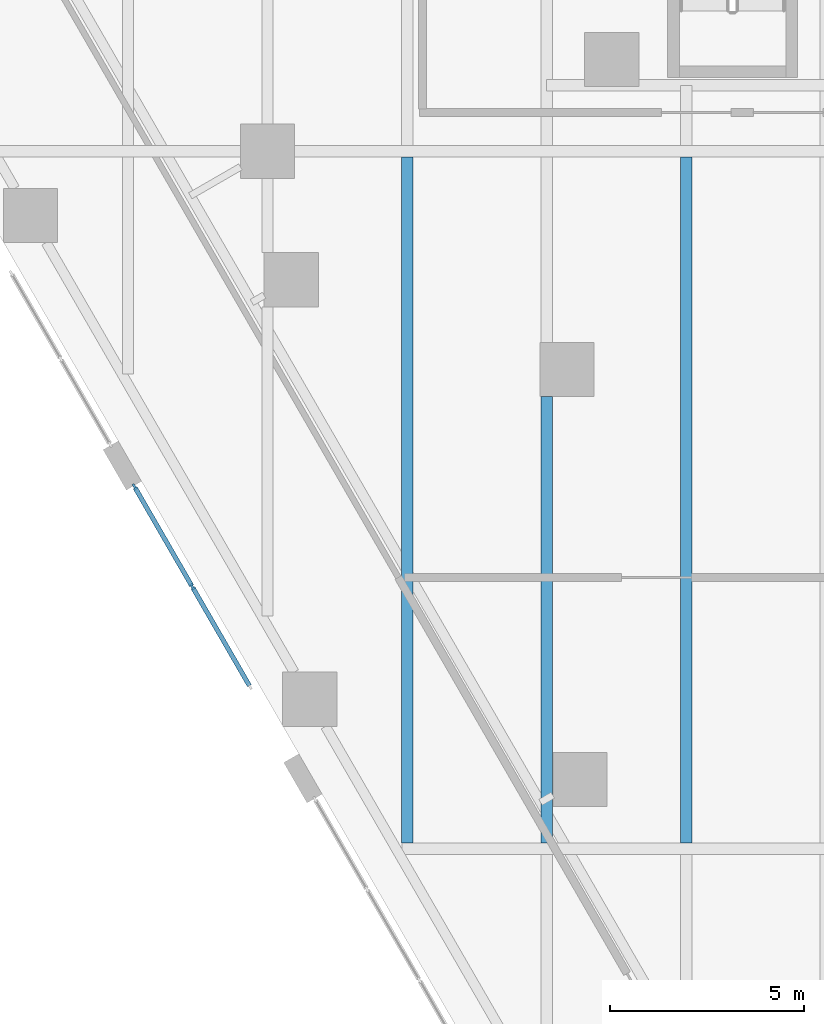
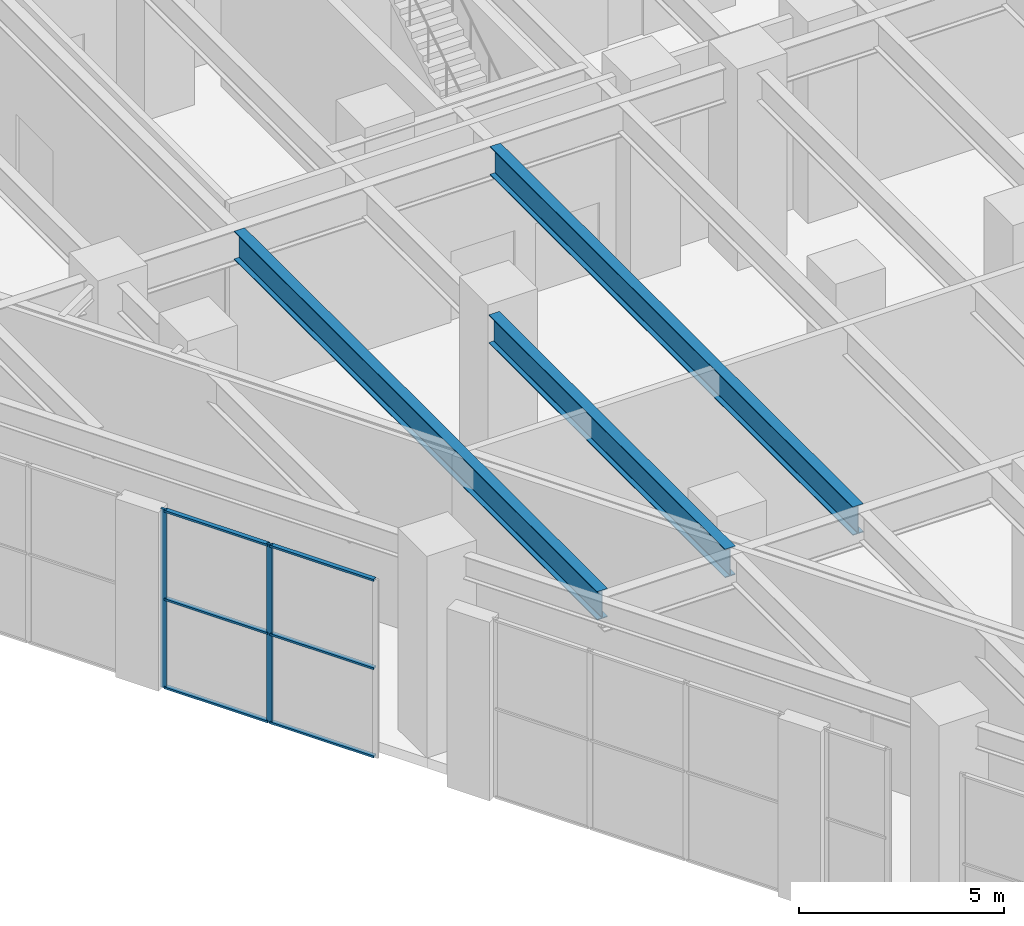
# One storey, part 4 of 37: 8 members, 3 beams, 1 element without a shape of its own.
"""IFC4 building model written with IfcOpenShell, lengths in metres."""

from ifc_helpers import new_model, si_unit, direction, frame, origin, origin_2d, place, context, subcontext, project, spatial, rectangle, i_section, extrude, material, material_profile, profile_set, type_object, element, aggregate, save


model = new_model("IFC4")

# Units and contexts
model_context = context("Model", 3, precision=1e-05, world=origin(), true_north=direction((0.0, 1.0)))
body_context = subcontext(model_context, "Body", "Model", "MODEL_VIEW")
ifc_project = project(units=[si_unit("LENGTHUNIT", "METRE"), si_unit("AREAUNIT", "SQUARE_METRE"), si_unit("VOLUMEUNIT", "CUBIC_METRE"), si_unit("PLANEANGLEUNIT", "RADIAN"), si_unit("MASSUNIT", "GRAM", prefix="KILO")], contexts=[model_context])

# Site, building, storey
site_placement = place(None, origin())
site = spatial("IfcSite", under=ifc_project, at=site_placement, CompositionType="ELEMENT")
building_placement = place(site_placement, origin())
building = spatial("IfcBuilding", under=site, at=building_placement, Name="Aloe Facet Convention Tower", CompositionType="ELEMENT")
storey_placement = place(building_placement, frame((0.0, 0.0, 7.5)))
storey = spatial("IfcBuildingStorey", under=building, at=storey_placement, Name="L01", CompositionType="ELEMENT", Elevation=7.5)

# Curtain wall, members
ifc_material_1 = material(Name="Aluminium, anodised", Category="aluminium")
curtain_wall_type = type_object("IfcCurtainWallType", Name="EV-CW-SHOP", PredefinedType="USERDEFINED", material=ifc_material_1)
curtain_wall_placement = place(storey_placement, origin())
curtain_wall = element("IfcCurtainWall", 1, at=curtain_wall_placement, inside=storey, type_object=curtain_wall_type, Name="CW-L01-W16", ObjectType="STICK SHOPFRONT GLAZING", PredefinedType="USERDEFINED")
ifc_material_2 = material(Name="Aluminium, anodised", Category="aluminium")
ifc_material_profile_1 = material_profile(ifc_material_2, rectangle(XDim=0.06005859375, YDim=0.159912109375, at=origin_2d()), Name="AL 60x160")
ifc_profile_set_1 = profile_set([ifc_material_profile_1], Name="Aluminium, anodised")
member_type_1 = type_object("IfcMemberType", Name="EV-MULL-SHOP", PredefinedType="MULLION", material=ifc_profile_set_1)
member_1_placement = place(storey_placement, frame((58.567138671875, 72.34326171875, -0.300048828125), z_axis=(0.0, 0.0, 1.0), x_axis=(0.866025403767, 0.50000000003, 0.0)))
member_1 = element("IfcMember", 2, at=member_1_placement, type_object=member_type_1, Name="CW-L01-W16 mullion 1", PredefinedType="MULLION", context=body_context, shape_type="SweptSolid", body=[
    extrude(rectangle(XDim=0.06005859375, YDim=0.159912109375, at=origin_2d()), origin(), (0.0, 0.0, 1.0), 5.3125),
])
member_2_placement = place(storey_placement, frame((60.056884765625, 69.76318359375, -0.300048828125), z_axis=(0.0, 0.0, 1.0), x_axis=(0.866025403767, 0.50000000003, 0.0)))
member_2 = element("IfcMember", 3, at=member_2_placement, type_object=member_type_1, Name="CW-L01-W16 mullion 2", PredefinedType="MULLION", context=body_context, shape_type="SweptSolid", body=[
    extrude(rectangle(XDim=0.06005859375, YDim=0.159912109375, at=origin_2d()), origin(), (0.0, 0.0, 1.0), 5.3125),
])
ifc_material_3 = material(Name="Aluminium, anodised", Category="aluminium")
ifc_material_profile_2 = material_profile(ifc_material_3, rectangle(XDim=0.1201171875, YDim=0.06005859375, at=origin_2d()), Name="AL 120x60")
ifc_profile_set_2 = profile_set([ifc_material_profile_2], Name="Aluminium, anodised")
member_type_2 = type_object("IfcMemberType", Name="EV-TRAN-SHOP", PredefinedType="USERDEFINED", material=ifc_profile_set_2)
member_3_placement = place(storey_placement, frame((58.58203125, 72.3173828125, -0.27001953125), z_axis=(0.499997529631, -0.866026830048, 0.0), x_axis=(0.866026830048, 0.499997529631, 0.0)))
member_3 = element("IfcMember", 4, at=member_3_placement, type_object=member_type_2, Name="CW-L01-W16 transom 1.1", ObjectType="TRANSOM", PredefinedType="USERDEFINED", context=body_context, shape_type="SweptSolid", body=[
    extrude(rectangle(XDim=0.1201171875, YDim=0.06005859375, at=origin_2d()), origin(), (0.0, 0.0, 1.0), 2.91943359375),
])
member_4_placement = place(storey_placement, frame((58.58203125, 72.3173828125, 2.356201171875), z_axis=(0.499997529631, -0.866026830048, 0.0), x_axis=(0.866026830048, 0.499997529631, 0.0)))
member_4 = element("IfcMember", 5, at=member_4_placement, type_object=member_type_2, Name="CW-L01-W16 transom 1.2", ObjectType="TRANSOM", PredefinedType="USERDEFINED", context=body_context, shape_type="SweptSolid", body=[
    extrude(rectangle(XDim=0.1201171875, YDim=0.06005859375, at=origin_2d()), origin(), (0.0, 0.0, 1.0), 2.91943359375),
])
member_5_placement = place(storey_placement, frame((58.58203125, 72.3173828125, 4.982421875), z_axis=(0.499997529631, -0.866026830048, 0.0), x_axis=(0.866026830048, 0.499997529631, 0.0)))
member_5 = element("IfcMember", 6, at=member_5_placement, type_object=member_type_2, Name="CW-L01-W16 transom 1.3", ObjectType="TRANSOM", PredefinedType="USERDEFINED", context=body_context, shape_type="SweptSolid", body=[
    extrude(rectangle(XDim=0.1201171875, YDim=0.06005859375, at=origin_2d()), origin(), (0.0, 0.0, 1.0), 2.91943359375),
])
member_6_placement = place(storey_placement, frame((60.07177734375, 69.737060546875, -0.27001953125), z_axis=(0.500033742649, -0.86600592158, 0.0), x_axis=(0.86600592158, 0.500033742649, 0.0)))
member_6 = element("IfcMember", 7, at=member_6_placement, type_object=member_type_2, Name="CW-L01-W16 transom 2.1", ObjectType="TRANSOM", PredefinedType="USERDEFINED", context=body_context, shape_type="SweptSolid", body=[
    extrude(rectangle(XDim=0.1201171875, YDim=0.06005859375, at=origin_2d()), origin(), (0.0, 0.0, 1.0), 2.919189453125),
])
member_7_placement = place(storey_placement, frame((60.07177734375, 69.737060546875, 2.356201171875), z_axis=(0.500033742649, -0.86600592158, 0.0), x_axis=(0.86600592158, 0.500033742649, 0.0)))
member_7 = element("IfcMember", 8, at=member_7_placement, type_object=member_type_2, Name="CW-L01-W16 transom 2.2", ObjectType="TRANSOM", PredefinedType="USERDEFINED", context=body_context, shape_type="SweptSolid", body=[
    extrude(rectangle(XDim=0.1201171875, YDim=0.06005859375, at=origin_2d()), origin(), (0.0, 0.0, 1.0), 2.919189453125),
])
member_8_placement = place(storey_placement, frame((60.07177734375, 69.737060546875, 4.982421875), z_axis=(0.500033742649, -0.86600592158, 0.0), x_axis=(0.86600592158, 0.500033742649, 0.0)))
member_8 = element("IfcMember", 9, at=member_8_placement, type_object=member_type_2, Name="CW-L01-W16 transom 2.3", ObjectType="TRANSOM", PredefinedType="USERDEFINED", context=body_context, shape_type="SweptSolid", body=[
    extrude(rectangle(XDim=0.1201171875, YDim=0.06005859375, at=origin_2d()), origin(), (0.0, 0.0, 1.0), 2.919189453125),
])
aggregate(curtain_wall, [member_1, member_2, member_3, member_4, member_5, member_6, member_7, member_8])

# Beams
ifc_material_4 = material(Name="Steel S355", Category="steel")
ifc_material_profile_3 = material_profile(ifc_material_4, i_section(OverallWidth=0.293701171875, OverallDepth=0.850830078125, WebThickness=0.01611328125, FlangeThickness=0.02685546875, FilletRadius=0.017822265625, at=origin_2d()), Name="UB 838x292x226")
ifc_profile_set_3 = profile_set([ifc_material_profile_3], Name="Steel S355")
beam_type = type_object("IfcBeamType", Name="SF-B-UB838x292x226", PredefinedType="BEAM", material=ifc_profile_set_3)
beam_1_placement = place(storey_placement, frame((65.60009765625, 63.152587890625, 5.2744140625), z_axis=(0.0, 1.0, 0.0), x_axis=(-1.0, 0.0, 0.0)))
element("IfcBeam", 10, at=beam_1_placement, inside=storey, type_object=beam_type, Name="Floor beam FB-L02-083", PredefinedType="BEAM", context=body_context, shape_type="SweptSolid", body=[
    extrude(i_section(OverallWidth=0.293701171875, OverallDepth=0.850830078125, WebThickness=0.01611328125, FlangeThickness=0.02685546875, FilletRadius=0.017822265625, at=origin_2d()), origin(), (0.0, 0.0, 1.0), 17.69482421875),
])
beam_2_placement = place(storey_placement, frame((69.199951171875, 63.152587890625, 5.2744140625), z_axis=(0.0, 1.0, 0.0), x_axis=(-1.0, 0.0, 0.0)))
element("IfcBeam", 11, at=beam_2_placement, inside=storey, type_object=beam_type, Name="Floor beam FB-L02-088", PredefinedType="BEAM", context=body_context, shape_type="SweptSolid", body=[
    extrude(i_section(OverallWidth=0.293701171875, OverallDepth=0.850830078125, WebThickness=0.01611328125, FlangeThickness=0.02685546875, FilletRadius=0.017822265625, at=origin_2d()), origin(), (0.0, 0.0, 1.0), 11.513427734375),
])
beam_3_placement = place(storey_placement, frame((72.800048828125, 63.152587890625, 5.2744140625), z_axis=(0.0, 1.0, 0.0), x_axis=(-1.0, 0.0, 0.0)))
element("IfcBeam", 12, at=beam_3_placement, inside=storey, type_object=beam_type, Name="Floor beam FB-L02-096", PredefinedType="BEAM", context=body_context, shape_type="SweptSolid", body=[
    extrude(i_section(OverallWidth=0.293701171875, OverallDepth=0.850830078125, WebThickness=0.01611328125, FlangeThickness=0.02685546875, FilletRadius=0.017822265625, at=origin_2d()), origin(), (0.0, 0.0, 1.0), 17.69482421875),
])

save(model, "model.ifc")
